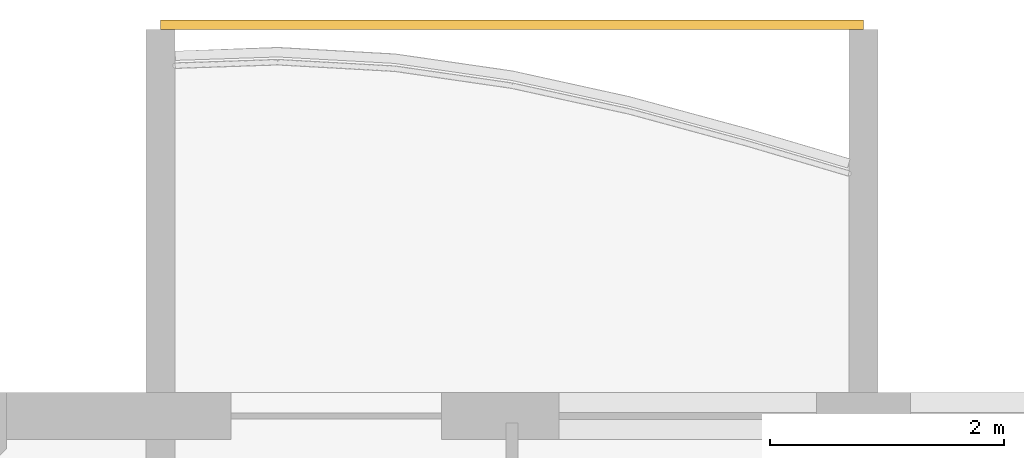
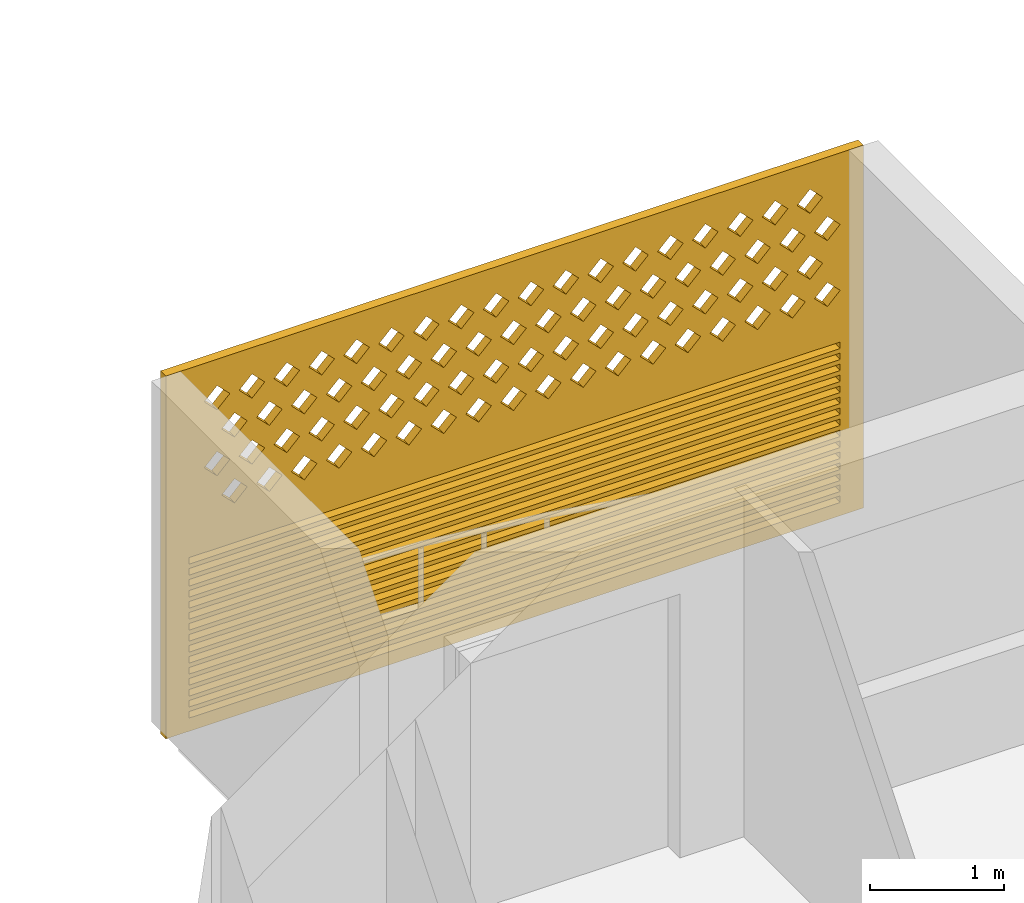
# One storey, part 17 of 29: 1 covering.
"""IFC4 building model written with IfcOpenShell, lengths in metres."""

import ifcopenshell
import ifcopenshell.guid

model = None  # the IFC model being written
_history = None  # IfcOwnerHistory: only IFC2X3 demands one
_inside = {}  # id of a spatial element -> (the spatial element, [elements in it])
_under = {}  # id of a project, library or spatial element -> (it, [spatial elements below it])
_declared = {}  # id of a project -> (the project, [libraries it declares])
_typed = {}  # id of a type object -> (the type object, [elements of that type])
_made_of = {}  # id of a material, layer set ... -> (it, [elements and type objects made of it])


def new_model(schema):
    """Start an empty IFC model of exactly this schema.

    Asked for "IFC4X3", IfcOpenShell would pick the latest addendum, in which some entities
    have other attributes; the version numbers below select the first issue.
    IFC2X3 requires an IfcOwnerHistory on every rooted entity: one is made here for all.
    """
    global model, _history
    if schema == "IFC4X3":
        model = ifcopenshell.file(schema_version=(4, 3, 0, 0))
    else:
        model = ifcopenshell.file(schema=schema)
    _inside.clear()
    _under.clear()
    _declared.clear()
    _typed.clear()
    _made_of.clear()
    _history = None
    if model.schema == "IFC2X3":
        org = make("IfcOrganization", Name="unknown")
        user = make(
            "IfcPersonAndOrganization",
            ThePerson=make("IfcPerson", FamilyName="unknown"),
            TheOrganization=org,
        )
        app = make(
            "IfcApplication",
            ApplicationDeveloper=org,
            Version="unknown",
            ApplicationFullName="unknown",
            ApplicationIdentifier="unknown",
        )
        _history = make(
            "IfcOwnerHistory",
            OwningUser=user,
            OwningApplication=app,
            ChangeAction="ADDED",
            CreationDate=0,
        )
    return model


def make(cls, **values):
    """One entity of the class cls with the attributes given. An attribute that is None is left unset."""
    return model.create_entity(
        cls, **{name: value for name, value in values.items() if value is not None}
    )


def rooted(cls, **values):
    """An entity with a GlobalId (a new one), such as an element, a storey or a relation."""
    return make(cls, GlobalId=ifcopenshell.guid.new(), OwnerHistory=_history, **values)


def si_unit(unit_type, name, prefix=None):
    """IfcSIUnit, for example si_unit("LENGTHUNIT", "METRE", prefix="MILLI")."""
    return make("IfcSIUnit", UnitType=unit_type, Prefix=prefix, Name=name)


def assignment(units):
    """IfcUnitAssignment: the units of a project."""
    return None if units is None else make("IfcUnitAssignment", Units=units)


def point(xyz):
    """IfcCartesianPoint."""
    return None if xyz is None else make("IfcCartesianPoint", Coordinates=xyz)


def direction(xyz):
    """IfcDirection."""
    return None if xyz is None else make("IfcDirection", DirectionRatios=xyz)


def frame(location, z_axis=None, x_axis=None):
    """IfcAxis2Placement3D, a coordinate frame: its origin and axes. An axis left out is left unset."""
    return make(
        "IfcAxis2Placement3D",
        Location=point(location),
        Axis=direction(z_axis),
        RefDirection=direction(x_axis),
    )


def origin():
    """The frame at (0, 0, 0) with its axes left unset."""
    return frame((0.0, 0.0, 0.0))


def place(relative_to, where):
    """IfcLocalPlacement: puts the frame where relative to a parent placement (None: the world)."""
    return make(
        "IfcLocalPlacement", PlacementRelTo=relative_to, RelativePlacement=where
    )


def context(
    kind, dimensions, precision=None, world=None, true_north=None, identifier=None
):
    """IfcGeometricRepresentationContext, for example the 3D "Model" context."""
    return make(
        "IfcGeometricRepresentationContext",
        ContextIdentifier=identifier,
        ContextType=kind,
        CoordinateSpaceDimension=dimensions,
        Precision=precision,
        WorldCoordinateSystem=world,
        TrueNorth=true_north,
    )


def subcontext(parent, identifier, kind, view, scale=None):
    """IfcGeometricRepresentationSubContext, for example "Body" below "Model"."""
    return make(
        "IfcGeometricRepresentationSubContext",
        ContextIdentifier=identifier,
        ContextType=kind,
        ParentContext=parent,
        TargetScale=scale,
        TargetView=view,
    )


def project(units=None, contexts=None):
    """IfcProject with its units and contexts."""
    return rooted(
        "IfcProject",
        Name="project",
        RepresentationContexts=contexts,
        UnitsInContext=assignment(units),
    )


def spatial(cls, under=None, at=None, **own):
    """A site, building, storey or space (cls), placed at a placement, below another one or the project."""
    s = rooted(cls, ObjectPlacement=at, **own)
    if under is not None:
        _under.setdefault(under.id(), (under, []))[1].append(s)
    return s


def polyline(points):
    """IfcPolyline through the points."""
    return make("IfcPolyline", Points=[point(p) for p in points])


def outline(outer, holes=None, kind="AREA"):
    """IfcArbitraryClosedProfileDef: a profile drawn as a closed curve; with holes, ...WithVoids."""
    if holes is None:
        return make("IfcArbitraryClosedProfileDef", ProfileType=kind, OuterCurve=outer)
    return make(
        "IfcArbitraryProfileDefWithVoids",
        ProfileType=kind,
        OuterCurve=outer,
        InnerCurves=holes,
    )


def extrude(swept, where, along, depth):
    """IfcExtrudedAreaSolid: the profile swept, set in the frame where, extruded along a direction by depth."""
    return make(
        "IfcExtrudedAreaSolid",
        SweptArea=swept,
        Position=where,
        ExtrudedDirection=direction(along),
        Depth=depth,
    )


def shape(context_of_items, identifier, shape_type, items):
    """IfcShapeRepresentation: the items that make up one representation, for example the "Body"."""
    return make(
        "IfcShapeRepresentation",
        ContextOfItems=context_of_items,
        RepresentationIdentifier=identifier,
        RepresentationType=shape_type,
        Items=items,
    )


def source(mapping_origin, context_of_items, identifier, shape_type, items):
    """IfcRepresentationMap: a shape defined once, which mapped items show again and again."""
    return make(
        "IfcRepresentationMap",
        MappingOrigin=mapping_origin,
        MappedRepresentation=shape(context_of_items, identifier, shape_type, items),
    )


def transform(
    local_origin,
    x_axis=None,
    y_axis=None,
    z_axis=None,
    scale=None,
    scale2=None,
    scale3=None,
    uniform=True,
):
    """IfcCartesianTransformationOperator3D, or its non-uniform kind. x_axis, y_axis, z_axis: its Axis1, 2, 3."""
    if uniform:
        return make(
            "IfcCartesianTransformationOperator3D",
            Axis1=direction(x_axis),
            Axis2=direction(y_axis),
            LocalOrigin=point(local_origin),
            Scale=scale,
            Axis3=direction(z_axis),
        )
    return make(
        "IfcCartesianTransformationOperator3DnonUniform",
        Axis1=direction(x_axis),
        Axis2=direction(y_axis),
        LocalOrigin=point(local_origin),
        Scale=scale,
        Axis3=direction(z_axis),
        Scale2=scale2,
        Scale3=scale3,
    )


def mapped(mapping_source, mapping_target):
    """IfcMappedItem: shows the shape of a source again, moved by a transform."""
    return make(
        "IfcMappedItem", MappingSource=mapping_source, MappingTarget=mapping_target
    )


def material(Name=None, Category=None):
    """IfcMaterial."""
    return make("IfcMaterial", Name=Name, Category=Category)


def material_profile(
    of_material, cross_section, Name=None, Category=None, Priority=None
):
    """IfcMaterialProfile: a cross section and its material."""
    return make(
        "IfcMaterialProfile",
        Name=Name,
        Material=of_material,
        Profile=cross_section,
        Priority=Priority,
        Category=Category,
    )


def profile_set(profiles, Name=None, composite=None):
    """IfcMaterialProfileSet."""
    return make(
        "IfcMaterialProfileSet",
        Name=Name,
        MaterialProfiles=profiles,
        CompositeProfile=composite,
    )


def made_of(thing, what):
    """Note that an element or type object is made of a material, layer set ...; save() writes the relation."""
    if what is not None:
        _made_of.setdefault(what.id(), (what, []))[1].append(thing)
    return thing


def type_object(cls, material=None, **own):
    """A type object (cls), such as IfcWallType, which elements share."""
    return made_of(rooted(cls, **own), material)


def element(
    cls,
    number,
    at=None,
    inside=None,
    cuts=None,
    type_object=None,
    material=None,
    context=None,
    identifier="Body",
    shape_type=None,
    held_by="IfcProductDefinitionShape",
    body=None,
    shapes=None,
    **own,
):
    """One element of the class cls, such as IfcWall. Its Tag is "e" and its number.

    at: its placement. inside: the storey or other place that contains it. cuts: it is an
    opening in that element (IfcRelVoidsElement). A single representation is given by context,
    identifier, shape_type and body (its items); several are given by shapes. held_by: the class
    of the entity that holds the representations. save() writes the other relations.
    """
    e = rooted(cls, Tag="e%d" % number, ObjectPlacement=at, **own)
    if body is not None:
        shapes = [shape(context, identifier, shape_type, body)]
    if shapes is not None:
        e.Representation = make(held_by, Representations=shapes)
    if inside is not None:
        _inside.setdefault(inside.id(), (inside, []))[1].append(e)
    if cuts is not None:
        rooted(
            "IfcRelVoidsElement", RelatingBuildingElement=cuts, RelatedOpeningElement=e
        )
    if type_object is not None:
        _typed.setdefault(type_object.id(), (type_object, []))[1].append(e)
    return made_of(e, material)


def aggregate(whole, parts):
    """IfcRelAggregates: a whole, such as a stair, and the parts it consists of."""
    return rooted("IfcRelAggregates", RelatingObject=whole, RelatedObjects=parts)


def save(model, path):
    """Write the relations noted so far, then the file.

    IfcRelAggregates (storeys below a building ...), IfcRelContainedInSpatialStructure (elements
    in a storey), IfcRelDefinesByType, IfcRelAssociatesMaterial and IfcRelDeclares: one each for
    every whole, place, type object, material and project.
    """
    for whole, parts in _under.values():
        aggregate(whole, parts)
    for where, things in _inside.values():
        rooted(
            "IfcRelContainedInSpatialStructure",
            RelatedElements=things,
            RelatingStructure=where,
        )
    for kind, things in _typed.values():
        rooted("IfcRelDefinesByType", RelatedObjects=things, RelatingType=kind)
    for what, things in _made_of.values():
        rooted("IfcRelAssociatesMaterial", RelatedObjects=things, RelatingMaterial=what)
    for by, libraries in _declared.values():
        rooted("IfcRelDeclares", RelatingContext=by, RelatedDefinitions=libraries)
    model.write(path)


model = new_model("IFC4")

# Units and contexts
model_context = context("Model", 3, precision=1e-05, world=origin(), true_north=direction((0.0, 1.0)))
body_context = subcontext(model_context, "Body", "Model", "MODEL_VIEW")
ifc_project = project(units=[si_unit("LENGTHUNIT", "METRE"), si_unit("AREAUNIT", "SQUARE_METRE"), si_unit("VOLUMEUNIT", "CUBIC_METRE"), si_unit("PLANEANGLEUNIT", "RADIAN"), si_unit("MASSUNIT", "GRAM", prefix="KILO")], contexts=[model_context])

# Site, building, storey
site_placement = place(None, origin())
site = spatial("IfcSite", under=ifc_project, at=site_placement, CompositionType="ELEMENT")
building_placement = place(site_placement, origin())
building = spatial("IfcBuilding", under=site, at=building_placement, Name="Poui Terraces", CompositionType="ELEMENT")
storey_placement = place(building_placement, frame((0.0, 0.0, 237.89990234375)))
storey = spatial("IfcBuildingStorey", under=building, at=storey_placement, Name="L66", CompositionType="ELEMENT", Elevation=237.89990234375)

# Covering
ifc_material = material(Name="Terracotta screen", Category="masonry")
ifc_material_profile = material_profile(ifc_material, outline(polyline([(-3.0, -1.64990234375), (3.0, -1.64990234375), (3.0, 1.64990234375), (-3.0, 1.64990234375), (-3.0, -1.64990234375)]), holes=[polyline([(-2.800048828125, 0.39990234375), (-2.68994140625, 0.2900390625), (-2.580078125, 0.39990234375), (-2.68994140625, 0.510009765625), (-2.800048828125, 0.39990234375)]), polyline([(-2.5, 0.39990234375), (-2.389892578125, 0.2900390625), (-2.280029296875, 0.39990234375), (-2.389892578125, 0.510009765625), (-2.5, 0.39990234375)]), polyline([(-2.199951171875, 0.39990234375), (-2.090087890625, 0.2900390625), (-1.97998046875, 0.39990234375), (-2.090087890625, 0.510009765625), (-2.199951171875, 0.39990234375)]), polyline([(-1.89990234375, 0.39990234375), (-1.7900390625, 0.2900390625), (-1.679931640625, 0.39990234375), (-1.7900390625, 0.510009765625), (-1.89990234375, 0.39990234375)]), polyline([(-1.60009765625, 0.39990234375), (-1.489990234375, 0.2900390625), (-1.3798828125, 0.39990234375), (-1.489990234375, 0.510009765625), (-1.60009765625, 0.39990234375)]), polyline([(-1.300048828125, 0.39990234375), (-1.18994140625, 0.2900390625), (-1.080078125, 0.39990234375), (-1.18994140625, 0.510009765625), (-1.300048828125, 0.39990234375)]), polyline([(-1.0, 0.39990234375), (-0.889892578125, 0.2900390625), (-0.780029296875, 0.39990234375), (-0.889892578125, 0.510009765625), (-1.0, 0.39990234375)]), polyline([(-0.699951171875, 0.39990234375), (-0.590087890625, 0.2900390625), (-0.47998046875, 0.39990234375), (-0.590087890625, 0.510009765625), (-0.699951171875, 0.39990234375)]), polyline([(-0.39990234375, 0.39990234375), (-0.2900390625, 0.2900390625), (-0.179931640625, 0.39990234375), (-0.2900390625, 0.510009765625), (-0.39990234375, 0.39990234375)]), polyline([(-0.10009765625, 0.39990234375), (0.010009765625, 0.2900390625), (0.1201171875, 0.39990234375), (0.010009765625, 0.510009765625), (-0.10009765625, 0.39990234375)]), polyline([(0.199951171875, 0.39990234375), (0.31005859375, 0.2900390625), (0.419921875, 0.39990234375), (0.31005859375, 0.510009765625), (0.199951171875, 0.39990234375)]), polyline([(0.5, 0.39990234375), (0.610107421875, 0.2900390625), (0.719970703125, 0.39990234375), (0.610107421875, 0.510009765625), (0.5, 0.39990234375)]), polyline([(0.800048828125, 0.39990234375), (0.909912109375, 0.2900390625), (1.02001953125, 0.39990234375), (0.909912109375, 0.510009765625), (0.800048828125, 0.39990234375)]), polyline([(1.10009765625, 0.39990234375), (1.2099609375, 0.2900390625), (1.320068359375, 0.39990234375), (1.2099609375, 0.510009765625), (1.10009765625, 0.39990234375)]), polyline([(1.39990234375, 0.39990234375), (1.510009765625, 0.2900390625), (1.6201171875, 0.39990234375), (1.510009765625, 0.510009765625), (1.39990234375, 0.39990234375)]), polyline([(1.699951171875, 0.39990234375), (1.81005859375, 0.2900390625), (1.919921875, 0.39990234375), (1.81005859375, 0.510009765625), (1.699951171875, 0.39990234375)]), polyline([(2.0, 0.39990234375), (2.110107421875, 0.2900390625), (2.219970703125, 0.39990234375), (2.110107421875, 0.510009765625), (2.0, 0.39990234375)]), polyline([(2.300048828125, 0.39990234375), (2.409912109375, 0.2900390625), (2.52001953125, 0.39990234375), (2.409912109375, 0.510009765625), (2.300048828125, 0.39990234375)]), polyline([(-2.64990234375, 0.699951171875), (-2.5400390625, 0.590087890625), (-2.429931640625, 0.699951171875), (-2.5400390625, 0.81005859375), (-2.64990234375, 0.699951171875)]), polyline([(-2.35009765625, 0.699951171875), (-2.239990234375, 0.590087890625), (-2.1298828125, 0.699951171875), (-2.239990234375, 0.81005859375), (-2.35009765625, 0.699951171875)]), polyline([(-2.050048828125, 0.699951171875), (-1.93994140625, 0.590087890625), (-1.830078125, 0.699951171875), (-1.93994140625, 0.81005859375), (-2.050048828125, 0.699951171875)]), polyline([(-1.75, 0.699951171875), (-1.639892578125, 0.590087890625), (-1.530029296875, 0.699951171875), (-1.639892578125, 0.81005859375), (-1.75, 0.699951171875)]), polyline([(-1.449951171875, 0.699951171875), (-1.340087890625, 0.590087890625), (-1.22998046875, 0.699951171875), (-1.340087890625, 0.81005859375), (-1.449951171875, 0.699951171875)]), polyline([(-1.14990234375, 0.699951171875), (-1.0400390625, 0.590087890625), (-0.929931640625, 0.699951171875), (-1.0400390625, 0.81005859375), (-1.14990234375, 0.699951171875)]), polyline([(-0.85009765625, 0.699951171875), (-0.739990234375, 0.590087890625), (-0.6298828125, 0.699951171875), (-0.739990234375, 0.81005859375), (-0.85009765625, 0.699951171875)]), polyline([(-0.550048828125, 0.699951171875), (-0.43994140625, 0.590087890625), (-0.330078125, 0.699951171875), (-0.43994140625, 0.81005859375), (-0.550048828125, 0.699951171875)]), polyline([(-0.25, 0.699951171875), (-0.139892578125, 0.590087890625), (-0.030029296875, 0.699951171875), (-0.139892578125, 0.81005859375), (-0.25, 0.699951171875)]), polyline([(0.050048828125, 0.699951171875), (0.159912109375, 0.590087890625), (0.27001953125, 0.699951171875), (0.159912109375, 0.81005859375), (0.050048828125, 0.699951171875)]), polyline([(0.35009765625, 0.699951171875), (0.4599609375, 0.590087890625), (0.570068359375, 0.699951171875), (0.4599609375, 0.81005859375), (0.35009765625, 0.699951171875)]), polyline([(0.64990234375, 0.699951171875), (0.760009765625, 0.590087890625), (0.8701171875, 0.699951171875), (0.760009765625, 0.81005859375), (0.64990234375, 0.699951171875)]), polyline([(0.949951171875, 0.699951171875), (1.06005859375, 0.590087890625), (1.169921875, 0.699951171875), (1.06005859375, 0.81005859375), (0.949951171875, 0.699951171875)]), polyline([(1.25, 0.699951171875), (1.360107421875, 0.590087890625), (1.469970703125, 0.699951171875), (1.360107421875, 0.81005859375), (1.25, 0.699951171875)]), polyline([(1.550048828125, 0.699951171875), (1.659912109375, 0.590087890625), (1.77001953125, 0.699951171875), (1.659912109375, 0.81005859375), (1.550048828125, 0.699951171875)]), polyline([(1.85009765625, 0.699951171875), (1.9599609375, 0.590087890625), (2.070068359375, 0.699951171875), (1.9599609375, 0.81005859375), (1.85009765625, 0.699951171875)]), polyline([(2.14990234375, 0.699951171875), (2.260009765625, 0.590087890625), (2.3701171875, 0.699951171875), (2.260009765625, 0.81005859375), (2.14990234375, 0.699951171875)]), polyline([(2.449951171875, 0.699951171875), (2.56005859375, 0.590087890625), (2.669921875, 0.699951171875), (2.56005859375, 0.81005859375), (2.449951171875, 0.699951171875)]), polyline([(-2.800048828125, 1.0), (-2.68994140625, 0.889892578125), (-2.580078125, 1.0), (-2.68994140625, 1.110107421875), (-2.800048828125, 1.0)]), polyline([(-2.5, 1.0), (-2.389892578125, 0.889892578125), (-2.280029296875, 1.0), (-2.389892578125, 1.110107421875), (-2.5, 1.0)]), polyline([(-2.199951171875, 1.0), (-2.090087890625, 0.889892578125), (-1.97998046875, 1.0), (-2.090087890625, 1.110107421875), (-2.199951171875, 1.0)]), polyline([(-1.89990234375, 1.0), (-1.7900390625, 0.889892578125), (-1.679931640625, 1.0), (-1.7900390625, 1.110107421875), (-1.89990234375, 1.0)]), polyline([(-1.60009765625, 1.0), (-1.489990234375, 0.889892578125), (-1.3798828125, 1.0), (-1.489990234375, 1.110107421875), (-1.60009765625, 1.0)]), polyline([(-1.300048828125, 1.0), (-1.18994140625, 0.889892578125), (-1.080078125, 1.0), (-1.18994140625, 1.110107421875), (-1.300048828125, 1.0)]), polyline([(-1.0, 1.0), (-0.889892578125, 0.889892578125), (-0.780029296875, 1.0), (-0.889892578125, 1.110107421875), (-1.0, 1.0)]), polyline([(-0.699951171875, 1.0), (-0.590087890625, 0.889892578125), (-0.47998046875, 1.0), (-0.590087890625, 1.110107421875), (-0.699951171875, 1.0)]), polyline([(-0.39990234375, 1.0), (-0.2900390625, 0.889892578125), (-0.179931640625, 1.0), (-0.2900390625, 1.110107421875), (-0.39990234375, 1.0)]), polyline([(-0.10009765625, 1.0), (0.010009765625, 0.889892578125), (0.1201171875, 1.0), (0.010009765625, 1.110107421875), (-0.10009765625, 1.0)]), polyline([(0.199951171875, 1.0), (0.31005859375, 0.889892578125), (0.419921875, 1.0), (0.31005859375, 1.110107421875), (0.199951171875, 1.0)]), polyline([(0.5, 1.0), (0.610107421875, 0.889892578125), (0.719970703125, 1.0), (0.610107421875, 1.110107421875), (0.5, 1.0)]), polyline([(0.800048828125, 1.0), (0.909912109375, 0.889892578125), (1.02001953125, 1.0), (0.909912109375, 1.110107421875), (0.800048828125, 1.0)]), polyline([(1.10009765625, 1.0), (1.2099609375, 0.889892578125), (1.320068359375, 1.0), (1.2099609375, 1.110107421875), (1.10009765625, 1.0)]), polyline([(1.39990234375, 1.0), (1.510009765625, 0.889892578125), (1.6201171875, 1.0), (1.510009765625, 1.110107421875), (1.39990234375, 1.0)]), polyline([(1.699951171875, 1.0), (1.81005859375, 0.889892578125), (1.919921875, 1.0), (1.81005859375, 1.110107421875), (1.699951171875, 1.0)]), polyline([(2.0, 1.0), (2.110107421875, 0.889892578125), (2.219970703125, 1.0), (2.110107421875, 1.110107421875), (2.0, 1.0)]), polyline([(2.300048828125, 1.0), (2.409912109375, 0.889892578125), (2.52001953125, 1.0), (2.409912109375, 1.110107421875), (2.300048828125, 1.0)]), polyline([(-2.64990234375, 1.300048828125), (-2.5400390625, 1.18994140625), (-2.429931640625, 1.300048828125), (-2.5400390625, 1.409912109375), (-2.64990234375, 1.300048828125)]), polyline([(-2.35009765625, 1.300048828125), (-2.239990234375, 1.18994140625), (-2.1298828125, 1.300048828125), (-2.239990234375, 1.409912109375), (-2.35009765625, 1.300048828125)]), polyline([(-2.050048828125, 1.300048828125), (-1.93994140625, 1.18994140625), (-1.830078125, 1.300048828125), (-1.93994140625, 1.409912109375), (-2.050048828125, 1.300048828125)]), polyline([(-1.75, 1.300048828125), (-1.639892578125, 1.18994140625), (-1.530029296875, 1.300048828125), (-1.639892578125, 1.409912109375), (-1.75, 1.300048828125)]), polyline([(-1.449951171875, 1.300048828125), (-1.340087890625, 1.18994140625), (-1.22998046875, 1.300048828125), (-1.340087890625, 1.409912109375), (-1.449951171875, 1.300048828125)]), polyline([(-1.14990234375, 1.300048828125), (-1.0400390625, 1.18994140625), (-0.929931640625, 1.300048828125), (-1.0400390625, 1.409912109375), (-1.14990234375, 1.300048828125)]), polyline([(-0.85009765625, 1.300048828125), (-0.739990234375, 1.18994140625), (-0.6298828125, 1.300048828125), (-0.739990234375, 1.409912109375), (-0.85009765625, 1.300048828125)]), polyline([(-0.550048828125, 1.300048828125), (-0.43994140625, 1.18994140625), (-0.330078125, 1.300048828125), (-0.43994140625, 1.409912109375), (-0.550048828125, 1.300048828125)]), polyline([(-0.25, 1.300048828125), (-0.139892578125, 1.18994140625), (-0.030029296875, 1.300048828125), (-0.139892578125, 1.409912109375), (-0.25, 1.300048828125)]), polyline([(0.050048828125, 1.300048828125), (0.159912109375, 1.18994140625), (0.27001953125, 1.300048828125), (0.159912109375, 1.409912109375), (0.050048828125, 1.300048828125)]), polyline([(0.35009765625, 1.300048828125), (0.4599609375, 1.18994140625), (0.570068359375, 1.300048828125), (0.4599609375, 1.409912109375), (0.35009765625, 1.300048828125)]), polyline([(0.64990234375, 1.300048828125), (0.760009765625, 1.18994140625), (0.8701171875, 1.300048828125), (0.760009765625, 1.409912109375), (0.64990234375, 1.300048828125)]), polyline([(0.949951171875, 1.300048828125), (1.06005859375, 1.18994140625), (1.169921875, 1.300048828125), (1.06005859375, 1.409912109375), (0.949951171875, 1.300048828125)]), polyline([(1.25, 1.300048828125), (1.360107421875, 1.18994140625), (1.469970703125, 1.300048828125), (1.360107421875, 1.409912109375), (1.25, 1.300048828125)]), polyline([(1.550048828125, 1.300048828125), (1.659912109375, 1.18994140625), (1.77001953125, 1.300048828125), (1.659912109375, 1.409912109375), (1.550048828125, 1.300048828125)]), polyline([(1.85009765625, 1.300048828125), (1.9599609375, 1.18994140625), (2.070068359375, 1.300048828125), (1.9599609375, 1.409912109375), (1.85009765625, 1.300048828125)]), polyline([(2.14990234375, 1.300048828125), (2.260009765625, 1.18994140625), (2.3701171875, 1.300048828125), (2.260009765625, 1.409912109375), (2.14990234375, 1.300048828125)]), polyline([(2.449951171875, 1.300048828125), (2.56005859375, 1.18994140625), (2.669921875, 1.300048828125), (2.56005859375, 1.409912109375), (2.449951171875, 1.300048828125)]), polyline([(-2.800048828125, -1.530029296875), (2.800048828125, -1.530029296875), (2.800048828125, -1.469970703125), (-2.800048828125, -1.469970703125), (-2.800048828125, -1.530029296875)]), polyline([(-2.800048828125, -1.429931640625), (2.800048828125, -1.429931640625), (2.800048828125, -1.3701171875), (-2.800048828125, -1.3701171875), (-2.800048828125, -1.429931640625)]), polyline([(-2.800048828125, -1.330078125), (2.800048828125, -1.330078125), (2.800048828125, -1.27001953125), (-2.800048828125, -1.27001953125), (-2.800048828125, -1.330078125)]), polyline([(-2.800048828125, -1.22998046875), (2.800048828125, -1.22998046875), (2.800048828125, -1.169921875), (-2.800048828125, -1.169921875), (-2.800048828125, -1.22998046875)]), polyline([(-2.800048828125, -1.1298828125), (2.800048828125, -1.1298828125), (2.800048828125, -1.070068359375), (-2.800048828125, -1.070068359375), (-2.800048828125, -1.1298828125)]), polyline([(-2.800048828125, -1.030029296875), (2.800048828125, -1.030029296875), (2.800048828125, -0.969970703125), (-2.800048828125, -0.969970703125), (-2.800048828125, -1.030029296875)]), polyline([(-2.800048828125, -0.929931640625), (2.800048828125, -0.929931640625), (2.800048828125, -0.8701171875), (-2.800048828125, -0.8701171875), (-2.800048828125, -0.929931640625)]), polyline([(-2.800048828125, -0.830078125), (2.800048828125, -0.830078125), (2.800048828125, -0.77001953125), (-2.800048828125, -0.77001953125), (-2.800048828125, -0.830078125)]), polyline([(-2.800048828125, -0.72998046875), (2.800048828125, -0.72998046875), (2.800048828125, -0.669921875), (-2.800048828125, -0.669921875), (-2.800048828125, -0.72998046875)]), polyline([(-2.800048828125, -0.6298828125), (2.800048828125, -0.6298828125), (2.800048828125, -0.570068359375), (-2.800048828125, -0.570068359375), (-2.800048828125, -0.6298828125)]), polyline([(-2.800048828125, -0.530029296875), (2.800048828125, -0.530029296875), (2.800048828125, -0.469970703125), (-2.800048828125, -0.469970703125), (-2.800048828125, -0.530029296875)]), polyline([(-2.800048828125, -0.429931640625), (2.800048828125, -0.429931640625), (2.800048828125, -0.3701171875), (-2.800048828125, -0.3701171875), (-2.800048828125, -0.429931640625)]), polyline([(-2.800048828125, -0.330078125), (2.800048828125, -0.330078125), (2.800048828125, -0.27001953125), (-2.800048828125, -0.27001953125), (-2.800048828125, -0.330078125)]), polyline([(-2.800048828125, -0.22998046875), (2.800048828125, -0.22998046875), (2.800048828125, -0.169921875), (-2.800048828125, -0.169921875), (-2.800048828125, -0.22998046875)]), polyline([(-2.800048828125, -0.1298828125), (2.800048828125, -0.1298828125), (2.800048828125, -0.070068359375), (-2.800048828125, -0.070068359375), (-2.800048828125, -0.1298828125)])]), Name="TERRACOTTA SCREEN AND JALOUSIE LOUVRE 6000X3300")
ifc_profile_set = profile_set([ifc_material_profile], Name="Terracotta screen")
covering_type = type_object("IfcCoveringType", Name="TERRACOTTA SCREEN AND JALOUSIE LOUVRE 6000X3300", PredefinedType="CLADDING", material=ifc_profile_set)
shared_shape = source(origin(), body_context, "Body", "SweptSolid", [
    extrude(outline(polyline([(-3.0, -1.64990234375), (3.0, -1.64990234375), (3.0, 1.64990234375), (-3.0, 1.64990234375), (-3.0, -1.64990234375)]), holes=[polyline([(-2.800048828125, 0.39990234375), (-2.68994140625, 0.2900390625), (-2.580078125, 0.39990234375), (-2.68994140625, 0.510009765625), (-2.800048828125, 0.39990234375)]), polyline([(-2.5, 0.39990234375), (-2.389892578125, 0.2900390625), (-2.280029296875, 0.39990234375), (-2.389892578125, 0.510009765625), (-2.5, 0.39990234375)]), polyline([(-2.199951171875, 0.39990234375), (-2.090087890625, 0.2900390625), (-1.97998046875, 0.39990234375), (-2.090087890625, 0.510009765625), (-2.199951171875, 0.39990234375)]), polyline([(-1.89990234375, 0.39990234375), (-1.7900390625, 0.2900390625), (-1.679931640625, 0.39990234375), (-1.7900390625, 0.510009765625), (-1.89990234375, 0.39990234375)]), polyline([(-1.60009765625, 0.39990234375), (-1.489990234375, 0.2900390625), (-1.3798828125, 0.39990234375), (-1.489990234375, 0.510009765625), (-1.60009765625, 0.39990234375)]), polyline([(-1.300048828125, 0.39990234375), (-1.18994140625, 0.2900390625), (-1.080078125, 0.39990234375), (-1.18994140625, 0.510009765625), (-1.300048828125, 0.39990234375)]), polyline([(-1.0, 0.39990234375), (-0.889892578125, 0.2900390625), (-0.780029296875, 0.39990234375), (-0.889892578125, 0.510009765625), (-1.0, 0.39990234375)]), polyline([(-0.699951171875, 0.39990234375), (-0.590087890625, 0.2900390625), (-0.47998046875, 0.39990234375), (-0.590087890625, 0.510009765625), (-0.699951171875, 0.39990234375)]), polyline([(-0.39990234375, 0.39990234375), (-0.2900390625, 0.2900390625), (-0.179931640625, 0.39990234375), (-0.2900390625, 0.510009765625), (-0.39990234375, 0.39990234375)]), polyline([(-0.10009765625, 0.39990234375), (0.010009765625, 0.2900390625), (0.1201171875, 0.39990234375), (0.010009765625, 0.510009765625), (-0.10009765625, 0.39990234375)]), polyline([(0.199951171875, 0.39990234375), (0.31005859375, 0.2900390625), (0.419921875, 0.39990234375), (0.31005859375, 0.510009765625), (0.199951171875, 0.39990234375)]), polyline([(0.5, 0.39990234375), (0.610107421875, 0.2900390625), (0.719970703125, 0.39990234375), (0.610107421875, 0.510009765625), (0.5, 0.39990234375)]), polyline([(0.800048828125, 0.39990234375), (0.909912109375, 0.2900390625), (1.02001953125, 0.39990234375), (0.909912109375, 0.510009765625), (0.800048828125, 0.39990234375)]), polyline([(1.10009765625, 0.39990234375), (1.2099609375, 0.2900390625), (1.320068359375, 0.39990234375), (1.2099609375, 0.510009765625), (1.10009765625, 0.39990234375)]), polyline([(1.39990234375, 0.39990234375), (1.510009765625, 0.2900390625), (1.6201171875, 0.39990234375), (1.510009765625, 0.510009765625), (1.39990234375, 0.39990234375)]), polyline([(1.699951171875, 0.39990234375), (1.81005859375, 0.2900390625), (1.919921875, 0.39990234375), (1.81005859375, 0.510009765625), (1.699951171875, 0.39990234375)]), polyline([(2.0, 0.39990234375), (2.110107421875, 0.2900390625), (2.219970703125, 0.39990234375), (2.110107421875, 0.510009765625), (2.0, 0.39990234375)]), polyline([(2.300048828125, 0.39990234375), (2.409912109375, 0.2900390625), (2.52001953125, 0.39990234375), (2.409912109375, 0.510009765625), (2.300048828125, 0.39990234375)]), polyline([(-2.64990234375, 0.699951171875), (-2.5400390625, 0.590087890625), (-2.429931640625, 0.699951171875), (-2.5400390625, 0.81005859375), (-2.64990234375, 0.699951171875)]), polyline([(-2.35009765625, 0.699951171875), (-2.239990234375, 0.590087890625), (-2.1298828125, 0.699951171875), (-2.239990234375, 0.81005859375), (-2.35009765625, 0.699951171875)]), polyline([(-2.050048828125, 0.699951171875), (-1.93994140625, 0.590087890625), (-1.830078125, 0.699951171875), (-1.93994140625, 0.81005859375), (-2.050048828125, 0.699951171875)]), polyline([(-1.75, 0.699951171875), (-1.639892578125, 0.590087890625), (-1.530029296875, 0.699951171875), (-1.639892578125, 0.81005859375), (-1.75, 0.699951171875)]), polyline([(-1.449951171875, 0.699951171875), (-1.340087890625, 0.590087890625), (-1.22998046875, 0.699951171875), (-1.340087890625, 0.81005859375), (-1.449951171875, 0.699951171875)]), polyline([(-1.14990234375, 0.699951171875), (-1.0400390625, 0.590087890625), (-0.929931640625, 0.699951171875), (-1.0400390625, 0.81005859375), (-1.14990234375, 0.699951171875)]), polyline([(-0.85009765625, 0.699951171875), (-0.739990234375, 0.590087890625), (-0.6298828125, 0.699951171875), (-0.739990234375, 0.81005859375), (-0.85009765625, 0.699951171875)]), polyline([(-0.550048828125, 0.699951171875), (-0.43994140625, 0.590087890625), (-0.330078125, 0.699951171875), (-0.43994140625, 0.81005859375), (-0.550048828125, 0.699951171875)]), polyline([(-0.25, 0.699951171875), (-0.139892578125, 0.590087890625), (-0.030029296875, 0.699951171875), (-0.139892578125, 0.81005859375), (-0.25, 0.699951171875)]), polyline([(0.050048828125, 0.699951171875), (0.159912109375, 0.590087890625), (0.27001953125, 0.699951171875), (0.159912109375, 0.81005859375), (0.050048828125, 0.699951171875)]), polyline([(0.35009765625, 0.699951171875), (0.4599609375, 0.590087890625), (0.570068359375, 0.699951171875), (0.4599609375, 0.81005859375), (0.35009765625, 0.699951171875)]), polyline([(0.64990234375, 0.699951171875), (0.760009765625, 0.590087890625), (0.8701171875, 0.699951171875), (0.760009765625, 0.81005859375), (0.64990234375, 0.699951171875)]), polyline([(0.949951171875, 0.699951171875), (1.06005859375, 0.590087890625), (1.169921875, 0.699951171875), (1.06005859375, 0.81005859375), (0.949951171875, 0.699951171875)]), polyline([(1.25, 0.699951171875), (1.360107421875, 0.590087890625), (1.469970703125, 0.699951171875), (1.360107421875, 0.81005859375), (1.25, 0.699951171875)]), polyline([(1.550048828125, 0.699951171875), (1.659912109375, 0.590087890625), (1.77001953125, 0.699951171875), (1.659912109375, 0.81005859375), (1.550048828125, 0.699951171875)]), polyline([(1.85009765625, 0.699951171875), (1.9599609375, 0.590087890625), (2.070068359375, 0.699951171875), (1.9599609375, 0.81005859375), (1.85009765625, 0.699951171875)]), polyline([(2.14990234375, 0.699951171875), (2.260009765625, 0.590087890625), (2.3701171875, 0.699951171875), (2.260009765625, 0.81005859375), (2.14990234375, 0.699951171875)]), polyline([(2.449951171875, 0.699951171875), (2.56005859375, 0.590087890625), (2.669921875, 0.699951171875), (2.56005859375, 0.81005859375), (2.449951171875, 0.699951171875)]), polyline([(-2.800048828125, 1.0), (-2.68994140625, 0.889892578125), (-2.580078125, 1.0), (-2.68994140625, 1.110107421875), (-2.800048828125, 1.0)]), polyline([(-2.5, 1.0), (-2.389892578125, 0.889892578125), (-2.280029296875, 1.0), (-2.389892578125, 1.110107421875), (-2.5, 1.0)]), polyline([(-2.199951171875, 1.0), (-2.090087890625, 0.889892578125), (-1.97998046875, 1.0), (-2.090087890625, 1.110107421875), (-2.199951171875, 1.0)]), polyline([(-1.89990234375, 1.0), (-1.7900390625, 0.889892578125), (-1.679931640625, 1.0), (-1.7900390625, 1.110107421875), (-1.89990234375, 1.0)]), polyline([(-1.60009765625, 1.0), (-1.489990234375, 0.889892578125), (-1.3798828125, 1.0), (-1.489990234375, 1.110107421875), (-1.60009765625, 1.0)]), polyline([(-1.300048828125, 1.0), (-1.18994140625, 0.889892578125), (-1.080078125, 1.0), (-1.18994140625, 1.110107421875), (-1.300048828125, 1.0)]), polyline([(-1.0, 1.0), (-0.889892578125, 0.889892578125), (-0.780029296875, 1.0), (-0.889892578125, 1.110107421875), (-1.0, 1.0)]), polyline([(-0.699951171875, 1.0), (-0.590087890625, 0.889892578125), (-0.47998046875, 1.0), (-0.590087890625, 1.110107421875), (-0.699951171875, 1.0)]), polyline([(-0.39990234375, 1.0), (-0.2900390625, 0.889892578125), (-0.179931640625, 1.0), (-0.2900390625, 1.110107421875), (-0.39990234375, 1.0)]), polyline([(-0.10009765625, 1.0), (0.010009765625, 0.889892578125), (0.1201171875, 1.0), (0.010009765625, 1.110107421875), (-0.10009765625, 1.0)]), polyline([(0.199951171875, 1.0), (0.31005859375, 0.889892578125), (0.419921875, 1.0), (0.31005859375, 1.110107421875), (0.199951171875, 1.0)]), polyline([(0.5, 1.0), (0.610107421875, 0.889892578125), (0.719970703125, 1.0), (0.610107421875, 1.110107421875), (0.5, 1.0)]), polyline([(0.800048828125, 1.0), (0.909912109375, 0.889892578125), (1.02001953125, 1.0), (0.909912109375, 1.110107421875), (0.800048828125, 1.0)]), polyline([(1.10009765625, 1.0), (1.2099609375, 0.889892578125), (1.320068359375, 1.0), (1.2099609375, 1.110107421875), (1.10009765625, 1.0)]), polyline([(1.39990234375, 1.0), (1.510009765625, 0.889892578125), (1.6201171875, 1.0), (1.510009765625, 1.110107421875), (1.39990234375, 1.0)]), polyline([(1.699951171875, 1.0), (1.81005859375, 0.889892578125), (1.919921875, 1.0), (1.81005859375, 1.110107421875), (1.699951171875, 1.0)]), polyline([(2.0, 1.0), (2.110107421875, 0.889892578125), (2.219970703125, 1.0), (2.110107421875, 1.110107421875), (2.0, 1.0)]), polyline([(2.300048828125, 1.0), (2.409912109375, 0.889892578125), (2.52001953125, 1.0), (2.409912109375, 1.110107421875), (2.300048828125, 1.0)]), polyline([(-2.64990234375, 1.300048828125), (-2.5400390625, 1.18994140625), (-2.429931640625, 1.300048828125), (-2.5400390625, 1.409912109375), (-2.64990234375, 1.300048828125)]), polyline([(-2.35009765625, 1.300048828125), (-2.239990234375, 1.18994140625), (-2.1298828125, 1.300048828125), (-2.239990234375, 1.409912109375), (-2.35009765625, 1.300048828125)]), polyline([(-2.050048828125, 1.300048828125), (-1.93994140625, 1.18994140625), (-1.830078125, 1.300048828125), (-1.93994140625, 1.409912109375), (-2.050048828125, 1.300048828125)]), polyline([(-1.75, 1.300048828125), (-1.639892578125, 1.18994140625), (-1.530029296875, 1.300048828125), (-1.639892578125, 1.409912109375), (-1.75, 1.300048828125)]), polyline([(-1.449951171875, 1.300048828125), (-1.340087890625, 1.18994140625), (-1.22998046875, 1.300048828125), (-1.340087890625, 1.409912109375), (-1.449951171875, 1.300048828125)]), polyline([(-1.14990234375, 1.300048828125), (-1.0400390625, 1.18994140625), (-0.929931640625, 1.300048828125), (-1.0400390625, 1.409912109375), (-1.14990234375, 1.300048828125)]), polyline([(-0.85009765625, 1.300048828125), (-0.739990234375, 1.18994140625), (-0.6298828125, 1.300048828125), (-0.739990234375, 1.409912109375), (-0.85009765625, 1.300048828125)]), polyline([(-0.550048828125, 1.300048828125), (-0.43994140625, 1.18994140625), (-0.330078125, 1.300048828125), (-0.43994140625, 1.409912109375), (-0.550048828125, 1.300048828125)]), polyline([(-0.25, 1.300048828125), (-0.139892578125, 1.18994140625), (-0.030029296875, 1.300048828125), (-0.139892578125, 1.409912109375), (-0.25, 1.300048828125)]), polyline([(0.050048828125, 1.300048828125), (0.159912109375, 1.18994140625), (0.27001953125, 1.300048828125), (0.159912109375, 1.409912109375), (0.050048828125, 1.300048828125)]), polyline([(0.35009765625, 1.300048828125), (0.4599609375, 1.18994140625), (0.570068359375, 1.300048828125), (0.4599609375, 1.409912109375), (0.35009765625, 1.300048828125)]), polyline([(0.64990234375, 1.300048828125), (0.760009765625, 1.18994140625), (0.8701171875, 1.300048828125), (0.760009765625, 1.409912109375), (0.64990234375, 1.300048828125)]), polyline([(0.949951171875, 1.300048828125), (1.06005859375, 1.18994140625), (1.169921875, 1.300048828125), (1.06005859375, 1.409912109375), (0.949951171875, 1.300048828125)]), polyline([(1.25, 1.300048828125), (1.360107421875, 1.18994140625), (1.469970703125, 1.300048828125), (1.360107421875, 1.409912109375), (1.25, 1.300048828125)]), polyline([(1.550048828125, 1.300048828125), (1.659912109375, 1.18994140625), (1.77001953125, 1.300048828125), (1.659912109375, 1.409912109375), (1.550048828125, 1.300048828125)]), polyline([(1.85009765625, 1.300048828125), (1.9599609375, 1.18994140625), (2.070068359375, 1.300048828125), (1.9599609375, 1.409912109375), (1.85009765625, 1.300048828125)]), polyline([(2.14990234375, 1.300048828125), (2.260009765625, 1.18994140625), (2.3701171875, 1.300048828125), (2.260009765625, 1.409912109375), (2.14990234375, 1.300048828125)]), polyline([(2.449951171875, 1.300048828125), (2.56005859375, 1.18994140625), (2.669921875, 1.300048828125), (2.56005859375, 1.409912109375), (2.449951171875, 1.300048828125)]), polyline([(-2.800048828125, -1.530029296875), (2.800048828125, -1.530029296875), (2.800048828125, -1.469970703125), (-2.800048828125, -1.469970703125), (-2.800048828125, -1.530029296875)]), polyline([(-2.800048828125, -1.429931640625), (2.800048828125, -1.429931640625), (2.800048828125, -1.3701171875), (-2.800048828125, -1.3701171875), (-2.800048828125, -1.429931640625)]), polyline([(-2.800048828125, -1.330078125), (2.800048828125, -1.330078125), (2.800048828125, -1.27001953125), (-2.800048828125, -1.27001953125), (-2.800048828125, -1.330078125)]), polyline([(-2.800048828125, -1.22998046875), (2.800048828125, -1.22998046875), (2.800048828125, -1.169921875), (-2.800048828125, -1.169921875), (-2.800048828125, -1.22998046875)]), polyline([(-2.800048828125, -1.1298828125), (2.800048828125, -1.1298828125), (2.800048828125, -1.070068359375), (-2.800048828125, -1.070068359375), (-2.800048828125, -1.1298828125)]), polyline([(-2.800048828125, -1.030029296875), (2.800048828125, -1.030029296875), (2.800048828125, -0.969970703125), (-2.800048828125, -0.969970703125), (-2.800048828125, -1.030029296875)]), polyline([(-2.800048828125, -0.929931640625), (2.800048828125, -0.929931640625), (2.800048828125, -0.8701171875), (-2.800048828125, -0.8701171875), (-2.800048828125, -0.929931640625)]), polyline([(-2.800048828125, -0.830078125), (2.800048828125, -0.830078125), (2.800048828125, -0.77001953125), (-2.800048828125, -0.77001953125), (-2.800048828125, -0.830078125)]), polyline([(-2.800048828125, -0.72998046875), (2.800048828125, -0.72998046875), (2.800048828125, -0.669921875), (-2.800048828125, -0.669921875), (-2.800048828125, -0.72998046875)]), polyline([(-2.800048828125, -0.6298828125), (2.800048828125, -0.6298828125), (2.800048828125, -0.570068359375), (-2.800048828125, -0.570068359375), (-2.800048828125, -0.6298828125)]), polyline([(-2.800048828125, -0.530029296875), (2.800048828125, -0.530029296875), (2.800048828125, -0.469970703125), (-2.800048828125, -0.469970703125), (-2.800048828125, -0.530029296875)]), polyline([(-2.800048828125, -0.429931640625), (2.800048828125, -0.429931640625), (2.800048828125, -0.3701171875), (-2.800048828125, -0.3701171875), (-2.800048828125, -0.429931640625)]), polyline([(-2.800048828125, -0.330078125), (2.800048828125, -0.330078125), (2.800048828125, -0.27001953125), (-2.800048828125, -0.27001953125), (-2.800048828125, -0.330078125)]), polyline([(-2.800048828125, -0.22998046875), (2.800048828125, -0.22998046875), (2.800048828125, -0.169921875), (-2.800048828125, -0.169921875), (-2.800048828125, -0.22998046875)]), polyline([(-2.800048828125, -0.1298828125), (2.800048828125, -0.1298828125), (2.800048828125, -0.070068359375), (-2.800048828125, -0.070068359375), (-2.800048828125, -0.1298828125)])]), origin(), (0.0, 0.0, 1.0), 0.080078125),
])
covering_placement = place(storey_placement, frame((27.0, 44.5, 1.4501953125), z_axis=(0.0, 1.0, 0.0), x_axis=(-1.0, 0.0, 0.0)))
element("IfcCovering", 1, at=covering_placement, inside=storey, type_object=covering_type, Name="SOLAR SCREEN AND JALOUSIE LOUVRE", PredefinedType="CLADDING", context=body_context, shape_type="MappedRepresentation", body=[
    mapped(shared_shape, transform((0.0, 0.0, 0.0))),
])

save(model, "model.ifc")
